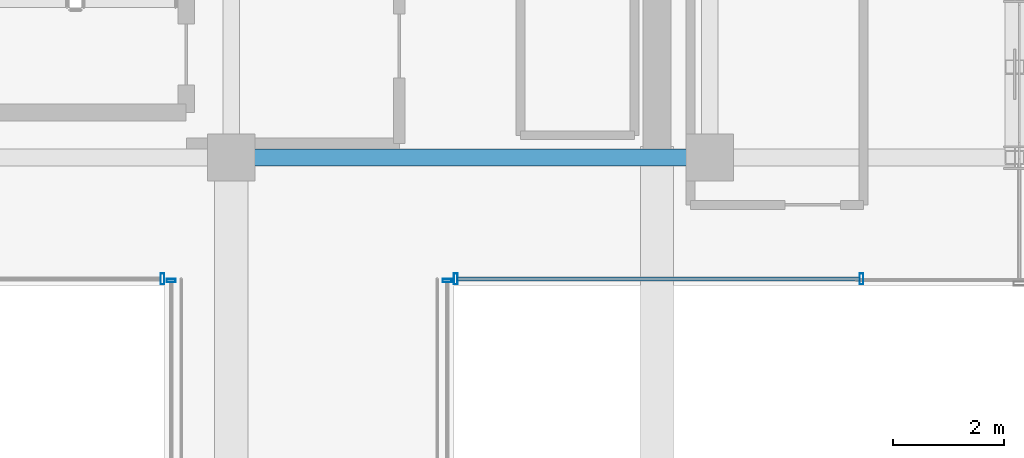
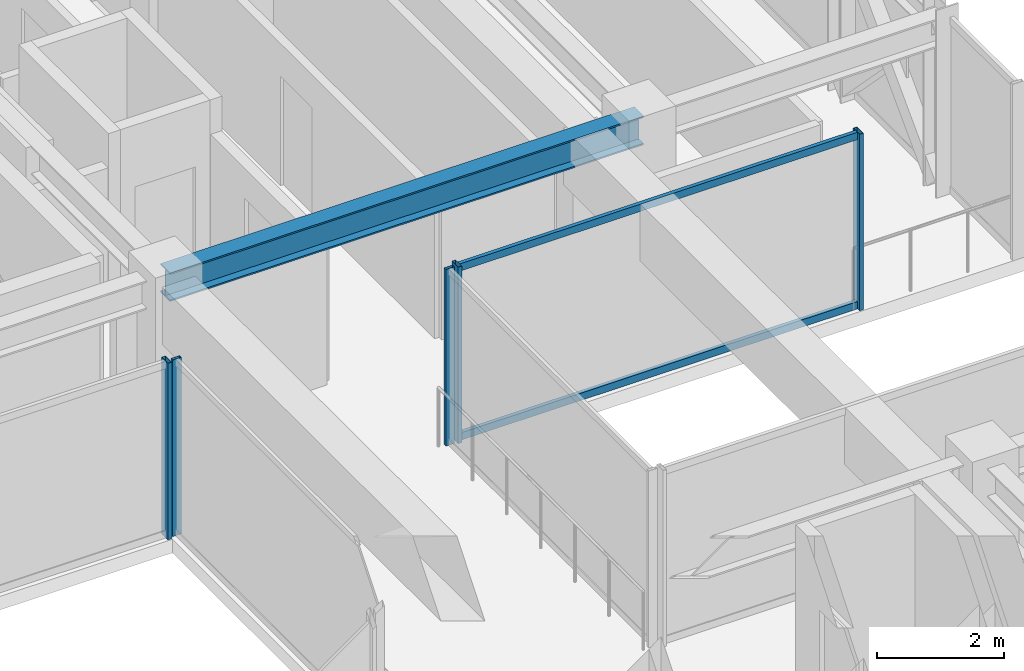
# One storey, part 19 of 43: 7 members, 1 beam, 4 elements without a shape of their own.
"""IFC4 building model written with IfcOpenShell, lengths in metres."""

from ifc_helpers import new_model, si_unit, direction, frame, origin, origin_2d, place, context, subcontext, project, spatial, hollow_rectangle, i_section, extrude, source, transform, mapped, material, material_profile, profile_set, type_object, element, aggregate, save


model = new_model("IFC4")

# Units and contexts
model_context = context("Model", 3, precision=1e-05, world=origin(), true_north=direction((0.0, 1.0)))
body_context = subcontext(model_context, "Body", "Model", "MODEL_VIEW")
ifc_project = project(units=[si_unit("LENGTHUNIT", "METRE"), si_unit("AREAUNIT", "SQUARE_METRE"), si_unit("VOLUMEUNIT", "CUBIC_METRE"), si_unit("PLANEANGLEUNIT", "RADIAN"), si_unit("MASSUNIT", "GRAM", prefix="KILO")], contexts=[model_context])

# Site, building, storey
site_placement = place(None, origin())
site = spatial("IfcSite", under=ifc_project, at=site_placement, CompositionType="ELEMENT")
building_placement = place(site_placement, origin())
building = spatial("IfcBuilding", under=site, at=building_placement, Name="Nahalor Promenade Grand Hotel", CompositionType="ELEMENT")
storey_placement = place(building_placement, frame((0.0, 0.0, 181.85009765625)))
storey = spatial("IfcBuildingStorey", under=building, at=storey_placement, Name="L46", CompositionType="ELEMENT", Elevation=181.85009765625)

# Beam
ifc_material_1 = material(Name="Steel S355JR", Category="steel")
ifc_material_profile_1 = material_profile(ifc_material_1, i_section(OverallWidth=0.3, OverallDepth=0.55, WebThickness=0.015, FlangeThickness=0.029, at=origin_2d()), Name="HEB 550")
ifc_profile_set_1 = profile_set([ifc_material_profile_1], Name="Steel S355JR")
beam_type = type_object("IfcBeamType", Name="Beam-Girder-HEB550", PredefinedType="BEAM", material=ifc_profile_set_1)
shared_shape_1 = source(origin(), body_context, "Body", "SweptSolid", [
    extrude(i_section(OverallWidth=0.3, OverallDepth=0.55, WebThickness=0.015, FlangeThickness=0.029, at=origin_2d()), origin(), (0.0, 0.0, 1.0), 8.60009765625),
])
beam_placement = place(storey_placement, frame((8.39990234375, 5.39990234375, 3.114990234375), z_axis=(1.0, 0.0, 0.0), x_axis=(0.0, 1.0, 0.0)))
element("IfcBeam", 1, at=beam_placement, inside=storey, type_object=beam_type, Name="BM-L46-GX-2-5", PredefinedType="BEAM", context=body_context, shape_type="MappedRepresentation", body=[
    mapped(shared_shape_1, transform((0.0, 0.0, 0.0), scale=1.0)),
])

# Curtain wall, members
ifc_material_2 = material(Name="Anodised Bronze Aluminium EN AW-6063 T6", Category="aluminium")
curtain_wall_type_1 = type_object("IfcCurtainWallType", Name="CW3 Elliptical-Void Collar Unitised Curtain Wall", PredefinedType="USERDEFINED", material=ifc_material_2)
curtain_wall_1_placement = place(storey_placement, origin())
curtain_wall_1 = element("IfcCurtainWall", 2, at=curtain_wall_1_placement, inside=storey, type_object=curtain_wall_type_1, Name="L46 Curtain Wall CW-L46-VOID-EN1", ObjectType="UNITISED_CURTAIN_WALL", PredefinedType="USERDEFINED")
ifc_material_profile_2 = material_profile(ifc_material_2, hollow_rectangle(XDim=0.07, YDim=0.14, WallThickness=0.004, at=origin_2d()), Name="CWT 70x140x4")
ifc_profile_set_2 = profile_set([ifc_material_profile_2], Name="Anodised Bronze Aluminium EN AW-6063 T6")
member_type_1 = type_object("IfcMemberType", Name="CWT3 Void Collar Transom 70x140", PredefinedType="USERDEFINED", material=ifc_profile_set_2)
shared_shape_2 = source(origin(), body_context, "Body", "SweptSolid", [
    extrude(hollow_rectangle(XDim=0.07, YDim=0.14, WallThickness=0.004, at=origin_2d()), origin(), (0.0, 0.0, 1.0), 7.219970703125),
])
member_1_placement = place(storey_placement, frame((12.469970703125, 3.219970703125, 0.06982421875), z_axis=(1.0, 0.0, 0.0), x_axis=(0.0, 1.0, 0.0)))
member_1 = element("IfcMember", 3, at=member_1_placement, type_object=member_type_1, Name="CW-L46-VOID-EN1 Transom 0-0", ObjectType="TRANSOM", PredefinedType="USERDEFINED", context=body_context, shape_type="MappedRepresentation", body=[
    mapped(shared_shape_2, transform((0.0, 0.0, 0.0), scale=1.0)),
])
member_2_placement = place(storey_placement, frame((12.469970703125, 3.219970703125, 3.31982421875), z_axis=(1.0, 0.0, 0.0), x_axis=(0.0, 1.0, 0.0)))
member_2 = element("IfcMember", 4, at=member_2_placement, type_object=member_type_1, Name="CW-L46-VOID-EN1 Transom 0-1", ObjectType="TRANSOM", PredefinedType="USERDEFINED", context=body_context, shape_type="MappedRepresentation", body=[
    mapped(shared_shape_2, transform((0.0, 0.0, 0.0), scale=1.0)),
])

# Curtain wall, member
curtain_wall_2_placement = place(storey_placement, origin())
curtain_wall_2 = element("IfcCurtainWall", 5, at=curtain_wall_2_placement, inside=storey, type_object=curtain_wall_type_1, Name="L46 Curtain Wall CW-L46-VOID-WN1", ObjectType="UNITISED_CURTAIN_WALL", PredefinedType="USERDEFINED")
ifc_material_profile_3 = material_profile(ifc_material_2, hollow_rectangle(XDim=0.07, YDim=0.2, WallThickness=0.005, at=origin_2d()), Name="CWM 70x200x5")
ifc_profile_set_3 = profile_set([ifc_material_profile_3], Name="Anodised Bronze Aluminium EN AW-6063 T6")
member_type_2 = type_object("IfcMemberType", Name="CWM3 Void Collar Mullion 70x200", PredefinedType="MULLION", material=ifc_profile_set_3)
shared_shape_3 = source(origin(), body_context, "Body", "SweptSolid", [
    extrude(hollow_rectangle(XDim=0.07, YDim=0.2, WallThickness=0.005, at=origin_2d()), origin(), (0.0, 0.0, 1.0), 3.389892578125),
])
member_3_placement = place(storey_placement, frame((7.1650390625, 3.219970703125, 0.0), z_axis=(0.0, 0.0, 1.0), x_axis=(1.0, 0.0, 0.0)))
member_3 = element("IfcMember", 6, at=member_3_placement, type_object=member_type_2, Name="CW-L46-VOID-WN1 Mullion 3", PredefinedType="MULLION", context=body_context, shape_type="MappedRepresentation", body=[
    mapped(shared_shape_3, transform((0.0, 0.0, 0.0), scale=1.0)),
])
aggregate(curtain_wall_2, [member_3])

# Member
member_4_placement = place(storey_placement, frame((12.43505859375, 3.219970703125, 0.0), z_axis=(0.0, 0.0, 1.0), x_axis=(1.0, 0.0, 0.0)))
member_4 = element("IfcMember", 7, at=member_4_placement, type_object=member_type_2, Name="CW-L46-VOID-EN1 Mullion 0", PredefinedType="MULLION", context=body_context, shape_type="MappedRepresentation", body=[
    mapped(shared_shape_3, transform((0.0, 0.0, 0.0), scale=1.0)),
])

member_5_placement = place(storey_placement, frame((19.72509765625, 3.219970703125, 0.0), z_axis=(0.0, 0.0, 1.0), x_axis=(1.0, 0.0, 0.0)))
member_5 = element("IfcMember", 8, at=member_5_placement, type_object=member_type_2, Name="CW-L46-VOID-EN1 Mullion 1", PredefinedType="MULLION", context=body_context, shape_type="MappedRepresentation", body=[
    mapped(shared_shape_3, transform((0.0, 0.0, 0.0), scale=1.0)),
])

aggregate(curtain_wall_1, [member_4, member_5, member_1, member_2])

# Curtain wall, member
curtain_wall_type_2 = type_object("IfcCurtainWallType", Name="CW4 Low-Iron Sky-Gallery Bridge Curtain Wall", PredefinedType="USERDEFINED", material=ifc_material_2)
curtain_wall_3_placement = place(storey_placement, origin())
curtain_wall_3 = element("IfcCurtainWall", 9, at=curtain_wall_3_placement, inside=storey, type_object=curtain_wall_type_2, Name="L46 Curtain Wall CW-L46-BRG-W", ObjectType="UNITISED_CURTAIN_WALL", PredefinedType="USERDEFINED")
ifc_material_profile_4 = material_profile(ifc_material_2, hollow_rectangle(XDim=0.06, YDim=0.16, WallThickness=0.004, at=origin_2d()), Name="CWM 60x160x4")
ifc_profile_set_4 = profile_set([ifc_material_profile_4], Name="Anodised Bronze Aluminium EN AW-6063 T6")
member_type_3 = type_object("IfcMemberType", Name="CWM4 Sky-Gallery Slim Mullion 60x160", PredefinedType="MULLION", material=ifc_profile_set_4)
shared_shape_4 = source(origin(), body_context, "Body", "SweptSolid", [
    extrude(hollow_rectangle(XDim=0.06, YDim=0.16, WallThickness=0.004, at=origin_2d()), origin(), (0.0, 0.0, 1.0), 3.389892578125),
])
member_6_placement = place(storey_placement, frame((7.320068359375, 3.18994140625, 0.0), z_axis=(0.0, 0.0, 1.0), x_axis=(0.0, 1.0, 0.0)))
member_6 = element("IfcMember", 10, at=member_6_placement, type_object=member_type_3, Name="CW-L46-BRG-W Mullion 1", PredefinedType="MULLION", context=body_context, shape_type="MappedRepresentation", body=[
    mapped(shared_shape_4, transform((0.0, 0.0, 0.0), scale=1.0)),
])
aggregate(curtain_wall_3, [member_6])

curtain_wall_4_placement = place(storey_placement, origin())
curtain_wall_4 = element("IfcCurtainWall", 11, at=curtain_wall_4_placement, inside=storey, type_object=curtain_wall_type_2, Name="L46 Curtain Wall CW-L46-BRG-E", ObjectType="UNITISED_CURTAIN_WALL", PredefinedType="USERDEFINED")
member_7_placement = place(storey_placement, frame((12.280029296875, 3.18994140625, 0.0), z_axis=(0.0, 0.0, 1.0), x_axis=(0.0, 1.0, 0.0)))
member_7 = element("IfcMember", 12, at=member_7_placement, type_object=member_type_3, Name="CW-L46-BRG-E Mullion 1", PredefinedType="MULLION", context=body_context, shape_type="MappedRepresentation", body=[
    mapped(shared_shape_4, transform((0.0, 0.0, 0.0), scale=1.0)),
])
aggregate(curtain_wall_4, [member_7])

save(model, "model.ifc")
